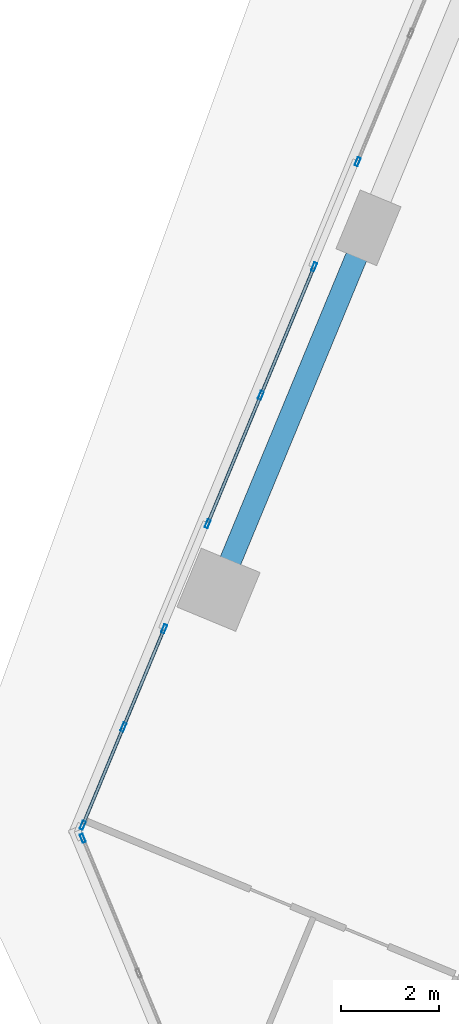
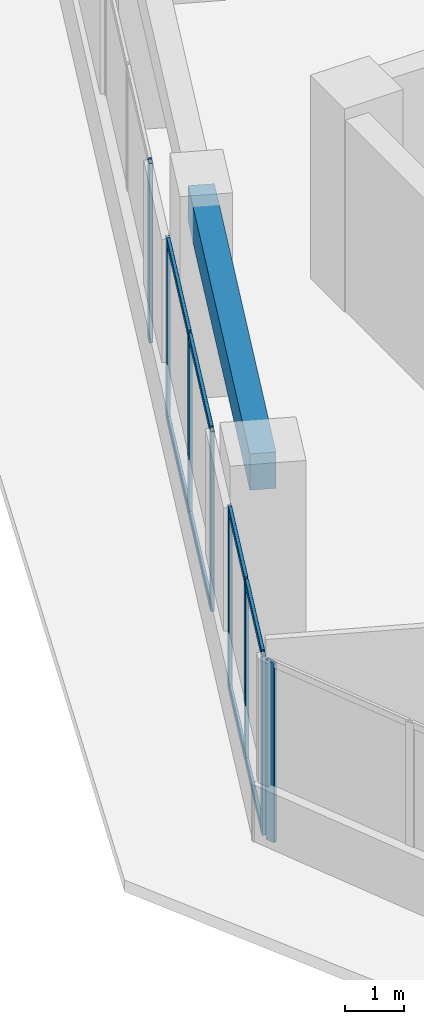
# One storey, part 5 of 24: 16 members, 1 beam, 4 elements without a shape of their own.
"""IFC4 building model written with IfcOpenShell, lengths in metres."""

from ifc_helpers import new_model, si_unit, direction, frame, origin, origin_2d, place, context, subcontext, project, spatial, rectangle, hollow_rectangle, extrude, source, transform, mapped, material, material_profile, profile_set, type_object, element, aggregate, save


model = new_model("IFC4")

# Units and contexts
model_context = context("Model", 3, precision=1e-05, world=origin(), true_north=direction((0.0, 1.0)))
body_context = subcontext(model_context, "Body", "Model", "MODEL_VIEW")
ifc_project = project(units=[si_unit("LENGTHUNIT", "METRE"), si_unit("AREAUNIT", "SQUARE_METRE"), si_unit("VOLUMEUNIT", "CUBIC_METRE"), si_unit("PLANEANGLEUNIT", "RADIAN"), si_unit("MASSUNIT", "GRAM", prefix="KILO")], contexts=[model_context])

# Site, building, storey
site_placement = place(None, origin())
site = spatial("IfcSite", under=ifc_project, at=site_placement, CompositionType="ELEMENT")
building_placement = place(site_placement, origin())
building = spatial("IfcBuilding", under=site, at=building_placement, Name="Torre Montelarca", CompositionType="ELEMENT")
storey_placement = place(building_placement, frame((0.0, 0.0, 141.39990234375)))
storey = spatial("IfcBuildingStorey", under=building, at=storey_placement, Name="L31", CompositionType="ELEMENT", Elevation=141.39990234375)

# Beam
ifc_material_1 = material(Name="Concrete C55/67", Category="concrete")
ifc_material_profile_1 = material_profile(ifc_material_1, rectangle(XDim=0.449951171875, YDim=0.75, at=origin_2d()), Name="RCB450X750", Category="concrete")
ifc_profile_set_1 = profile_set([ifc_material_profile_1], Name="Concrete C55/67")
beam_type = type_object("IfcBeamType", Name="BM-SP-RC750-EXT", PredefinedType="SPANDREL", material=ifc_profile_set_1)
shared_shape_1 = source(origin(), body_context, "Body", "SweptSolid", [
    extrude(rectangle(XDim=0.449951171875, YDim=0.75, at=origin_2d()), origin(), (0.0, 0.0, 1.0), 8.0),
])
beam_placement = place(storey_placement, frame((2.87109375, 31.05712890625, 3.585205078125), z_axis=(0.382686001036, 0.923878468529, 0.0), x_axis=(-0.923878468529, 0.382686001036, 0.0)))
element("IfcBeam", 1, at=beam_placement, inside=storey, type_object=beam_type, Name="L31 Grid Girder Y 24.0-32.0 at X=4.7", PredefinedType="SPANDREL", context=body_context, shape_type="MappedRepresentation", body=[
    mapped(shared_shape_1, transform((0.0, 0.0, 0.0), scale=1.0)),
])

# Curtain wall, members
ifc_material_2 = material(Name="Insulated low-E laminated glass", Category="glass")
curtain_wall_type = type_object("IfcCurtainWallType", Name="CW-SYS-Z2", PredefinedType="USERDEFINED", material=ifc_material_2)
curtain_wall_1_placement = place(storey_placement, origin())
curtain_wall_1 = element("IfcCurtainWall", 2, at=curtain_wall_1_placement, inside=storey, type_object=curtain_wall_type, Name="L31 Curtain Wall Run CW-T3-L31-E10-B2", ObjectType="UNITISED GLAZING", PredefinedType="USERDEFINED")
ifc_material_3 = material(Name="Anodised aluminium AA 6063-T6", Category="aluminium")
ifc_material_profile_2 = material_profile(ifc_material_3, hollow_rectangle(XDim=0.06494140625, YDim=0.139892578125, WallThickness=0.00390625, InnerFilletRadius=0.00390625, OuterFilletRadius=0.008056640625, at=origin_2d()), Name="ALU65X140X4", Category="aluminium")
ifc_profile_set_2 = profile_set([ifc_material_profile_2], Name="Anodised aluminium AA 6063-T6")
member_type_1 = type_object("IfcMemberType", Name="CWT-ALU140", PredefinedType="USERDEFINED", material=ifc_profile_set_2)
shared_shape_2 = source(origin(), body_context, "Body", "SweptSolid", [
    extrude(hollow_rectangle(XDim=0.06494140625, YDim=0.139892578125, WallThickness=0.00390625, InnerFilletRadius=0.00390625, OuterFilletRadius=0.008056640625, at=origin_2d()), origin(), (0.0, 0.0, 1.0), 2.7724609375),
])
member_1_placement = place(storey_placement, frame((4.81005859375, 37.61962890625, 0.03271484375), z_axis=(-0.382688791535, -0.923877312652, 0.0), x_axis=(0.923877312652, -0.382688791535, 0.0)))
member_1 = element("IfcMember", 3, at=member_1_placement, type_object=member_type_1, Name="CW transom 1.1", ObjectType="TRANSOM", PredefinedType="USERDEFINED", context=body_context, shape_type="MappedRepresentation", body=[
    mapped(shared_shape_2, transform((0.0, 0.0, 0.0), scale=1.0)),
])
member_2_placement = place(storey_placement, frame((4.81005859375, 37.61962890625, 3.6875), z_axis=(-0.382688791535, -0.923877312652, 0.0), x_axis=(0.923877312652, -0.382688791535, 0.0)))
member_2 = element("IfcMember", 4, at=member_2_placement, type_object=member_type_1, Name="CW transom 1.2", ObjectType="TRANSOM", PredefinedType="USERDEFINED", context=body_context, shape_type="MappedRepresentation", body=[
    mapped(shared_shape_2, transform((0.0, 0.0, 0.0), scale=1.0)),
])
member_3_placement = place(storey_placement, frame((3.724365234375, 34.998291015625, 0.03271484375), z_axis=(-0.382688791535, -0.923877312652, 0.0), x_axis=(0.923877312652, -0.382688791535, 0.0)))
member_3 = element("IfcMember", 5, at=member_3_placement, type_object=member_type_1, Name="CW transom 2.1", ObjectType="TRANSOM", PredefinedType="USERDEFINED", context=body_context, shape_type="MappedRepresentation", body=[
    mapped(shared_shape_2, transform((0.0, 0.0, 0.0), scale=1.0)),
])
member_4_placement = place(storey_placement, frame((3.724365234375, 34.998291015625, 3.6875), z_axis=(-0.382688791535, -0.923877312652, 0.0), x_axis=(0.923877312652, -0.382688791535, 0.0)))
member_4 = element("IfcMember", 6, at=member_4_placement, type_object=member_type_1, Name="CW transom 2.2", ObjectType="TRANSOM", PredefinedType="USERDEFINED", context=body_context, shape_type="MappedRepresentation", body=[
    mapped(shared_shape_2, transform((0.0, 0.0, 0.0), scale=1.0)),
])

# Curtain wall, member
curtain_wall_2_placement = place(storey_placement, origin())
curtain_wall_2 = element("IfcCurtainWall", 7, at=curtain_wall_2_placement, inside=storey, type_object=curtain_wall_type, Name="L31 Curtain Wall Run CW-T3-L31-E10-B1", ObjectType="UNITISED GLAZING", PredefinedType="USERDEFINED")
ifc_material_profile_3 = material_profile(ifc_material_3, hollow_rectangle(XDim=0.06494140625, YDim=0.179931640625, WallThickness=0.00390625, InnerFilletRadius=0.00390625, OuterFilletRadius=0.008056640625, at=origin_2d()), Name="ALU65X180X4", Category="aluminium")
ifc_profile_set_3 = profile_set([ifc_material_profile_3], Name="Anodised aluminium AA 6063-T6")
member_type_2 = type_object("IfcMemberType", Name="CWM-ALU180", PredefinedType="MULLION", material=ifc_profile_set_3)
shared_shape_3 = source(origin(), body_context, "Body", "SweptSolid", [
    extrude(hollow_rectangle(XDim=0.06494140625, YDim=0.179931640625, WallThickness=0.00390625, InnerFilletRadius=0.00390625, OuterFilletRadius=0.008056640625, at=origin_2d()), origin(), (0.0, 0.0, 1.0), 3.72021484375),
])
member_5_placement = place(storey_placement, frame((5.71240234375, 39.797607421875, 0.0), z_axis=(0.0, 0.0, 1.0), x_axis=(0.923880514481, -0.382681061672, 0.0)))
member_5 = element("IfcMember", 8, at=member_5_placement, type_object=member_type_2, Name="CW mullion 3", PredefinedType="MULLION", context=body_context, shape_type="MappedRepresentation", body=[
    mapped(shared_shape_3, transform((0.0, 0.0, 0.0), scale=1.0)),
])
aggregate(curtain_wall_2, [member_5])

# Member
member_6_placement = place(storey_placement, frame((4.822509765625, 37.649658203125, 0.0), z_axis=(0.0, 0.0, 1.0), x_axis=(0.923877963132, -0.38268722116, 0.0)))
member_6 = element("IfcMember", 9, at=member_6_placement, type_object=member_type_2, Name="CW mullion 1", PredefinedType="MULLION", context=body_context, shape_type="MappedRepresentation", body=[
    mapped(shared_shape_3, transform((0.0, 0.0, 0.0), scale=1.0)),
])

member_7_placement = place(storey_placement, frame((3.73681640625, 35.0283203125, 0.0), z_axis=(0.0, 0.0, 1.0), x_axis=(0.923877963132, -0.38268722116, 0.0)))
member_7 = element("IfcMember", 10, at=member_7_placement, type_object=member_type_2, Name="CW mullion 2", PredefinedType="MULLION", context=body_context, shape_type="MappedRepresentation", body=[
    mapped(shared_shape_3, transform((0.0, 0.0, 0.0), scale=1.0)),
])

member_8_placement = place(storey_placement, frame((2.65087890625, 32.40673828125, 0.0), z_axis=(0.0, 0.0, 1.0), x_axis=(0.923877963132, -0.38268722116, 0.0)))
member_8 = element("IfcMember", 11, at=member_8_placement, type_object=member_type_2, Name="CW mullion 3", PredefinedType="MULLION", context=body_context, shape_type="MappedRepresentation", body=[
    mapped(shared_shape_3, transform((0.0, 0.0, 0.0), scale=1.0)),
])

aggregate(curtain_wall_1, [member_6, member_7, member_8, member_1, member_2, member_3, member_4])

# Curtain wall, members
curtain_wall_3_placement = place(storey_placement, origin())
curtain_wall_3 = element("IfcCurtainWall", 12, at=curtain_wall_3_placement, inside=storey, type_object=curtain_wall_type, Name="L31 Curtain Wall Run CW-T3-L31-E10-B3", ObjectType="UNITISED GLAZING", PredefinedType="USERDEFINED")
member_9_placement = place(storey_placement, frame((1.76123046875, 30.2587890625, 0.0), z_axis=(0.0, 0.0, 1.0), x_axis=(0.923879015843, -0.38268467971, 0.0)))
member_9 = element("IfcMember", 13, at=member_9_placement, type_object=member_type_2, Name="CW mullion 1", PredefinedType="MULLION", context=body_context, shape_type="MappedRepresentation", body=[
    mapped(shared_shape_3, transform((0.0, 0.0, 0.0), scale=1.0)),
])
member_10_placement = place(storey_placement, frame((0.930908203125, 28.254150390625, 0.0), z_axis=(0.0, 0.0, 1.0), x_axis=(0.923879015843, -0.38268467971, 0.0)))
member_10 = element("IfcMember", 14, at=member_10_placement, type_object=member_type_2, Name="CW mullion 2", PredefinedType="MULLION", context=body_context, shape_type="MappedRepresentation", body=[
    mapped(shared_shape_3, transform((0.0, 0.0, 0.0), scale=1.0)),
])
member_11_placement = place(storey_placement, frame((0.1005859375, 26.249755859375, 0.0), z_axis=(0.0, 0.0, 1.0), x_axis=(0.923879015843, -0.38268467971, 0.0)))
member_11 = element("IfcMember", 15, at=member_11_placement, type_object=member_type_2, Name="CW mullion 3", PredefinedType="MULLION", context=body_context, shape_type="MappedRepresentation", body=[
    mapped(shared_shape_3, transform((0.0, 0.0, 0.0), scale=1.0)),
])

# Curtain wall, member
curtain_wall_4_placement = place(storey_placement, origin())
curtain_wall_4 = element("IfcCurtainWall", 16, at=curtain_wall_4_placement, inside=storey, type_object=curtain_wall_type, Name="L31 Curtain Wall Run CW-T3-L31-E11-B1", ObjectType="UNITISED GLAZING", PredefinedType="USERDEFINED")
member_12_placement = place(storey_placement, frame((0.1005859375, 25.982666015625, 0.0), z_axis=(0.0, 0.0, 1.0), x_axis=(0.923880246577, 0.382681708452, 0.0)))
member_12 = element("IfcMember", 17, at=member_12_placement, type_object=member_type_2, Name="CW mullion 1", PredefinedType="MULLION", context=body_context, shape_type="MappedRepresentation", body=[
    mapped(shared_shape_3, transform((0.0, 0.0, 0.0), scale=1.0)),
])
aggregate(curtain_wall_4, [member_12])

# Member
shared_shape_4 = source(origin(), body_context, "Body", "SweptSolid", [
    extrude(hollow_rectangle(XDim=0.06494140625, YDim=0.139892578125, WallThickness=0.00390625, InnerFilletRadius=0.00390625, OuterFilletRadius=0.008056640625, at=origin_2d()), origin(), (0.0, 0.0, 1.0), 2.104736328125),
])
member_13_placement = place(storey_placement, frame((1.748779296875, 30.228759765625, 0.03271484375), z_axis=(-0.38266253946, -0.923888186359, 0.0), x_axis=(0.923888186359, -0.38266253946, 0.0)))
member_13 = element("IfcMember", 18, at=member_13_placement, type_object=member_type_1, Name="CW transom 1.1", ObjectType="TRANSOM", PredefinedType="USERDEFINED", context=body_context, shape_type="MappedRepresentation", body=[
    mapped(shared_shape_4, transform((0.0, 0.0, 0.0), scale=1.0)),
])

member_14_placement = place(storey_placement, frame((1.748779296875, 30.228759765625, 3.6875), z_axis=(-0.38266253946, -0.923888186359, 0.0), x_axis=(0.923888186359, -0.38266253946, 0.0)))
member_14 = element("IfcMember", 19, at=member_14_placement, type_object=member_type_1, Name="CW transom 1.2", ObjectType="TRANSOM", PredefinedType="USERDEFINED", context=body_context, shape_type="MappedRepresentation", body=[
    mapped(shared_shape_4, transform((0.0, 0.0, 0.0), scale=1.0)),
])

shared_shape_5 = source(origin(), body_context, "Body", "SweptSolid", [
    extrude(hollow_rectangle(XDim=0.06494140625, YDim=0.139892578125, WallThickness=0.00390625, InnerFilletRadius=0.00390625, OuterFilletRadius=0.008056640625, at=origin_2d()), origin(), (0.0, 0.0, 1.0), 2.1044921875),
])
member_15_placement = place(storey_placement, frame((0.91845703125, 28.22412109375, 0.03271484375), z_axis=(-0.382703551517, -0.923871198629, 0.0), x_axis=(0.923871198629, -0.382703551517, 0.0)))
member_15 = element("IfcMember", 20, at=member_15_placement, type_object=member_type_1, Name="CW transom 2.1", ObjectType="TRANSOM", PredefinedType="USERDEFINED", context=body_context, shape_type="MappedRepresentation", body=[
    mapped(shared_shape_5, transform((0.0, 0.0, 0.0), scale=1.0)),
])

member_16_placement = place(storey_placement, frame((0.91845703125, 28.22412109375, 3.6875), z_axis=(-0.382703551517, -0.923871198629, 0.0), x_axis=(0.923871198629, -0.382703551517, 0.0)))
member_16 = element("IfcMember", 21, at=member_16_placement, type_object=member_type_1, Name="CW transom 2.2", ObjectType="TRANSOM", PredefinedType="USERDEFINED", context=body_context, shape_type="MappedRepresentation", body=[
    mapped(shared_shape_5, transform((0.0, 0.0, 0.0), scale=1.0)),
])

aggregate(curtain_wall_3, [member_9, member_10, member_11, member_13, member_14, member_15, member_16])

save(model, "model.ifc")
